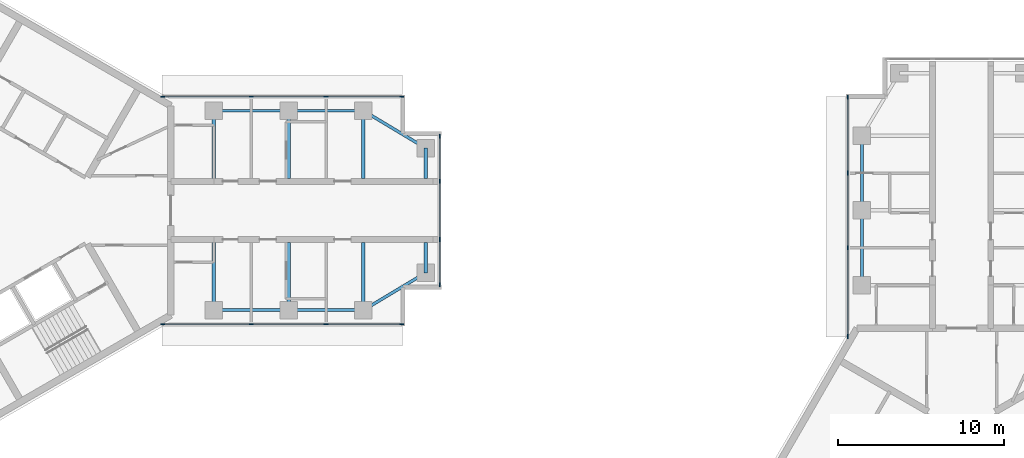
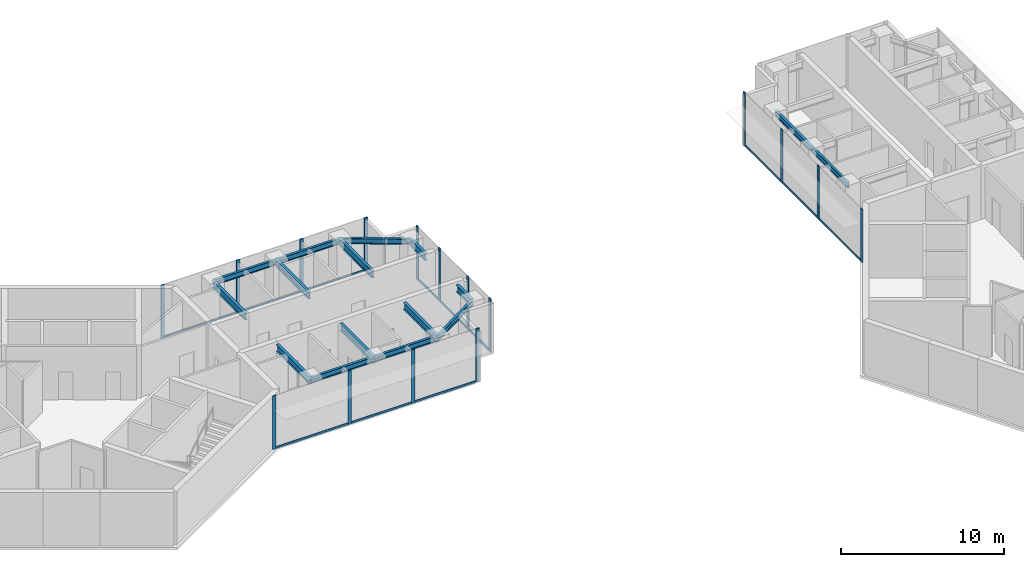
# One storey, part 2 of 11: 28 members, 16 beams, 4 elements without a shape of their own.
"""IFC4 building model written with IfcOpenShell, lengths in metres."""

from ifc_helpers import new_model, si_unit, direction, frame, origin, origin_2d, place, context, subcontext, project, spatial, rectangle, i_section, extrude, material, material_profile, profile_set, type_object, element, aggregate, save


model = new_model("IFC4")

# Units and contexts
model_context = context("Model", 3, precision=1e-05, world=origin(), true_north=direction((0.0, 1.0)))
body_context = subcontext(model_context, "Body", "Model", "MODEL_VIEW")
ifc_project = project(units=[si_unit("LENGTHUNIT", "METRE"), si_unit("AREAUNIT", "SQUARE_METRE"), si_unit("VOLUMEUNIT", "CUBIC_METRE"), si_unit("PLANEANGLEUNIT", "RADIAN"), si_unit("MASSUNIT", "GRAM", prefix="KILO")], contexts=[model_context])

# Site, building, storey
site_placement = place(None, origin())
site = spatial("IfcSite", under=ifc_project, at=site_placement, CompositionType="ELEMENT")
building_placement = place(site_placement, origin())
building = spatial("IfcBuilding", under=site, at=building_placement, Name="Upepo Twin Towers", CompositionType="ELEMENT")
storey_placement = place(building_placement, frame((0.0, 0.0, 263.5)))
storey = spatial("IfcBuildingStorey", under=building, at=storey_placement, Name="L64", CompositionType="ELEMENT", Elevation=263.5)

# Beams
ifc_material_1 = material(Name="Steel S355", Category="steel")
ifc_material_profile_1 = material_profile(ifc_material_1, i_section(OverallWidth=0.177978515625, OverallDepth=0.406494140625, WebThickness=0.0078125, FlangeThickness=0.0126953125, FilletRadius=0.01025390625, at=origin_2d()), Name="UB 406x178x60")
ifc_profile_set_1 = profile_set([ifc_material_profile_1], Name="Steel S355")
beam_type_1 = type_object("IfcBeamType", Name="Beam UB 406x178x60", PredefinedType="BEAM", material=ifc_profile_set_1)
for number, where, z_axis, x_axis, name in (
    (1, (13.5, 6.0, 3.5966796875), (1.0, 0.0, 0.0), (0.0, 1.0, 0.0), "T1 edge beam AL 13.5-18.0"),
    (2, (18.0, 6.0, 3.5966796875), (1.0, 0.0, 0.0), (0.0, 1.0, 0.0), "T1 edge beam AL 18.0-22.5"),
):
    element("IfcBeam", number, at=place(storey_placement, frame(where, z_axis=z_axis, x_axis=x_axis)), inside=storey, type_object=beam_type_1, Name=name, PredefinedType="BEAM", context=body_context, shape_type="SweptSolid", body=[
        extrude(i_section(OverallWidth=0.177978515625, OverallDepth=0.406494140625, WebThickness=0.0078125, FlangeThickness=0.0126953125, FilletRadius=0.01025390625, at=origin_2d()), origin(), (0.0, 0.0, 1.0), 4.5),
    ])
beam_1_placement = place(storey_placement, frame((22.5, 6.0, 3.5966796875), z_axis=(0.857492925713, -0.514495755428, 0.0), x_axis=(0.514495755428, 0.857492925713, 0.0)))
element("IfcBeam", 3, at=beam_1_placement, inside=storey, type_object=beam_type_1, Name="T1 nose edge beam AL", PredefinedType="BEAM", context=body_context, shape_type="SweptSolid", body=[
    extrude(i_section(OverallWidth=0.177978515625, OverallDepth=0.406494140625, WebThickness=0.0078125, FlangeThickness=0.0126953125, FilletRadius=0.01025390625, at=origin_2d()), origin(), (0.0, 0.0, 1.0), 4.373291015625),
])
for number, where, z_axis, x_axis, name in (
    (4, (13.5, -6.0, 3.5966796875), (1.0, 0.0, 0.0), (0.0, 1.0, 0.0), "T1 edge beam AR 13.5-18.0"),
    (5, (18.0, -6.0, 3.5966796875), (1.0, 0.0, 0.0), (0.0, 1.0, 0.0), "T1 edge beam AR 18.0-22.5"),
):
    element("IfcBeam", number, at=place(storey_placement, frame(where, z_axis=z_axis, x_axis=x_axis)), inside=storey, type_object=beam_type_1, Name=name, PredefinedType="BEAM", context=body_context, shape_type="SweptSolid", body=[
        extrude(i_section(OverallWidth=0.177978515625, OverallDepth=0.406494140625, WebThickness=0.0078125, FlangeThickness=0.0126953125, FilletRadius=0.01025390625, at=origin_2d()), origin(), (0.0, 0.0, 1.0), 4.5),
    ])
beam_2_placement = place(storey_placement, frame((22.5, -6.0, 3.5966796875), z_axis=(0.857492925713, 0.514495755428, 0.0), x_axis=(-0.514495755428, 0.857492925713, 0.0)))
element("IfcBeam", 6, at=beam_2_placement, inside=storey, type_object=beam_type_1, Name="T1 nose edge beam AR", PredefinedType="BEAM", context=body_context, shape_type="SweptSolid", body=[
    extrude(i_section(OverallWidth=0.177978515625, OverallDepth=0.406494140625, WebThickness=0.0078125, FlangeThickness=0.0126953125, FilletRadius=0.01025390625, at=origin_2d()), origin(), (0.0, 0.0, 1.0), 4.373291015625),
])
for number, where, z_axis, x_axis, name in (
    (7, (52.5, -4.5, 3.5966796875), (0.0, 1.0, 0.0), (-1.0, 0.0, 0.0), "T2 edge beam AL 13.5-18.0"),
    (8, (52.5, 0.0, 3.5966796875), (0.0, 1.0, 0.0), (-1.0, 0.0, 0.0), "T2 edge beam AL 18.0-22.5"),
):
    element("IfcBeam", number, at=place(storey_placement, frame(where, z_axis=z_axis, x_axis=x_axis)), inside=storey, type_object=beam_type_1, Name=name, PredefinedType="BEAM", context=body_context, shape_type="SweptSolid", body=[
        extrude(i_section(OverallWidth=0.177978515625, OverallDepth=0.406494140625, WebThickness=0.0078125, FlangeThickness=0.0126953125, FilletRadius=0.01025390625, at=origin_2d()), origin(), (0.0, 0.0, 1.0), 4.5),
    ])
ifc_material_2 = material(Name="Steel S355", Category="steel")
ifc_material_profile_2 = material_profile(ifc_material_2, i_section(OverallWidth=0.2099609375, OverallDepth=0.53662109375, WebThickness=0.0107421875, FlangeThickness=0.017333984375, FilletRadius=0.0126953125, at=origin_2d()), Name="UB 533x210x101")
ifc_profile_set_2 = profile_set([ifc_material_profile_2], Name="Steel S355")
beam_type_2 = type_object("IfcBeamType", Name="Beam UB 533x210x101", PredefinedType="BEAM", material=ifc_profile_set_2)
for number, where, z_axis, x_axis, name in (
    (9, (26.25, 3.75, 3.53173828125), (0.0, -1.0, 0.0), (1.0, 0.0, 0.0), "T1 nose beam AL"),
    (10, (26.25, -3.75, 3.53173828125), (0.0, 1.0, 0.0), (-1.0, 0.0, 0.0), "T1 nose beam AR"),
):
    element("IfcBeam", number, at=place(storey_placement, frame(where, z_axis=z_axis, x_axis=x_axis)), inside=storey, type_object=beam_type_2, Name=name, PredefinedType="BEAM", context=body_context, shape_type="SweptSolid", body=[
        extrude(i_section(OverallWidth=0.2099609375, OverallDepth=0.53662109375, WebThickness=0.0107421875, FlangeThickness=0.017333984375, FilletRadius=0.0126953125, at=origin_2d()), origin(), (0.0, 0.0, 1.0), 1.824951171875),
    ])
ifc_material_3 = material(Name="Steel S355", Category="steel")
ifc_material_profile_3 = material_profile(ifc_material_3, i_section(OverallWidth=0.209228515625, OverallDepth=0.533203125, WebThickness=0.010009765625, FlangeThickness=0.015625, FilletRadius=0.0126953125, at=origin_2d()), Name="UB 533x210x92")
ifc_profile_set_3 = profile_set([ifc_material_profile_3], Name="Steel S355")
beam_type_3 = type_object("IfcBeamType", Name="Beam UB 533x210x92", PredefinedType="BEAM", material=ifc_profile_set_3)
for number, where, z_axis, x_axis, name in (
    (11, (13.5, 6.0, 3.533447265625), (0.0, -1.0, 0.0), (1.0, 0.0, 0.0), "T1 girder AL at 13.5"),
    (12, (18.0, 6.0, 3.533447265625), (0.0, -1.0, 0.0), (1.0, 0.0, 0.0), "T1 girder AL at 18.0"),
    (13, (22.5, 6.0, 3.533447265625), (0.0, -1.0, 0.0), (1.0, 0.0, 0.0), "T1 girder AL at 22.5"),
    (14, (13.5, -6.0, 3.533447265625), (0.0, 1.0, 0.0), (-1.0, 0.0, 0.0), "T1 girder AR at 13.5"),
    (15, (18.0, -6.0, 3.533447265625), (0.0, 1.0, 0.0), (-1.0, 0.0, 0.0), "T1 girder AR at 18.0"),
    (16, (22.5, -6.0, 3.533447265625), (0.0, 1.0, 0.0), (-1.0, 0.0, 0.0), "T1 girder AR at 22.5"),
):
    element("IfcBeam", number, at=place(storey_placement, frame(where, z_axis=z_axis, x_axis=x_axis)), inside=storey, type_object=beam_type_3, Name=name, PredefinedType="BEAM", context=body_context, shape_type="SweptSolid", body=[
        extrude(i_section(OverallWidth=0.209228515625, OverallDepth=0.533203125, WebThickness=0.010009765625, FlangeThickness=0.015625, FilletRadius=0.0126953125, at=origin_2d()), origin(), (0.0, 0.0, 1.0), 4.074951171875),
    ])

# Curtain wall, members
ifc_material_4 = material(Name="Aluminium and fritted glass", Category="aluminium")
curtain_wall_type = type_object("IfcCurtainWallType", Name="Tower curtain wall TW4, fritted glass", PredefinedType="NOTDEFINED", material=ifc_material_4)
curtain_wall_1_placement = place(storey_placement, origin())
curtain_wall_1 = element("IfcCurtainWall", 17, at=curtain_wall_1_placement, inside=storey, type_object=curtain_wall_type, Name="T1 L64 wing A flank L curtain wall", PredefinedType="NOTDEFINED")
ifc_material_5 = material(Name="Aluminium mullion", Category="aluminium")
ifc_material_profile_4 = material_profile(ifc_material_5, rectangle(XDim=0.06494140625, YDim=0.25, at=origin_2d()), Name="MULLION 65x250")
ifc_profile_set_4 = profile_set([ifc_material_profile_4], Name="Aluminium mullion")
member_type_1 = type_object("IfcMemberType", Name="Mullion 65x250 TW4", PredefinedType="MULLION", material=ifc_profile_set_4)
member_1_placement = place(storey_placement, frame((10.419677734375, 6.85009765625, 0.0), z_axis=(0.0, 0.0, 1.0), x_axis=(0.0, 1.0, 0.0)))
member_1 = element("IfcMember", 18, at=member_1_placement, type_object=member_type_1, Name="T1 L64 wing A flank L curtain wall mullion 1", PredefinedType="MULLION", context=body_context, shape_type="SweptSolid", body=[
    extrude(rectangle(XDim=0.06494140625, YDim=0.25, at=origin_2d()), origin(), (0.0, 0.0, 1.0), 4.0),
])
member_2_placement = place(storey_placement, frame((15.75, 6.85009765625, 0.0), z_axis=(0.0, 0.0, 1.0), x_axis=(0.0, 1.0, 0.0)))
member_2 = element("IfcMember", 19, at=member_2_placement, type_object=member_type_1, Name="T1 L64 wing A flank L curtain wall mullion 2", PredefinedType="MULLION", context=body_context, shape_type="SweptSolid", body=[
    extrude(rectangle(XDim=0.06494140625, YDim=0.25, at=origin_2d()), origin(), (0.0, 0.0, 1.0), 4.0),
])
member_3_placement = place(storey_placement, frame((20.25, 6.85009765625, 0.0), z_axis=(0.0, 0.0, 1.0), x_axis=(0.0, 1.0, 0.0)))
member_3 = element("IfcMember", 20, at=member_3_placement, type_object=member_type_1, Name="T1 L64 wing A flank L curtain wall mullion 3", PredefinedType="MULLION", context=body_context, shape_type="SweptSolid", body=[
    extrude(rectangle(XDim=0.06494140625, YDim=0.25, at=origin_2d()), origin(), (0.0, 0.0, 1.0), 4.0),
])
member_4_placement = place(storey_placement, frame((24.8173828125, 6.85009765625, 0.0), z_axis=(0.0, 0.0, 1.0), x_axis=(0.0, 1.0, 0.0)))
member_4 = element("IfcMember", 21, at=member_4_placement, type_object=member_type_1, Name="T1 L64 wing A flank L curtain wall mullion 4", PredefinedType="MULLION", context=body_context, shape_type="SweptSolid", body=[
    extrude(rectangle(XDim=0.06494140625, YDim=0.25, at=origin_2d()), origin(), (0.0, 0.0, 1.0), 4.0),
])

curtain_wall_2_placement = place(storey_placement, origin())
curtain_wall_2 = element("IfcCurtainWall", 22, at=curtain_wall_2_placement, inside=storey, type_object=curtain_wall_type, Name="T1 L64 wing A flank R curtain wall", PredefinedType="NOTDEFINED")
member_5_placement = place(storey_placement, frame((24.8173828125, -6.85009765625, 0.0), z_axis=(0.0, 0.0, 1.0), x_axis=(0.0, -1.0, 0.0)))
member_5 = element("IfcMember", 23, at=member_5_placement, type_object=member_type_1, Name="T1 L64 wing A flank R curtain wall mullion 1", PredefinedType="MULLION", context=body_context, shape_type="SweptSolid", body=[
    extrude(rectangle(XDim=0.06494140625, YDim=0.25, at=origin_2d()), origin(), (0.0, 0.0, 1.0), 4.0),
])
member_6_placement = place(storey_placement, frame((20.25, -6.85009765625, 0.0), z_axis=(0.0, 0.0, 1.0), x_axis=(0.0, -1.0, 0.0)))
member_6 = element("IfcMember", 24, at=member_6_placement, type_object=member_type_1, Name="T1 L64 wing A flank R curtain wall mullion 2", PredefinedType="MULLION", context=body_context, shape_type="SweptSolid", body=[
    extrude(rectangle(XDim=0.06494140625, YDim=0.25, at=origin_2d()), origin(), (0.0, 0.0, 1.0), 4.0),
])
member_7_placement = place(storey_placement, frame((15.75, -6.85009765625, 0.0), z_axis=(0.0, 0.0, 1.0), x_axis=(0.0, -1.0, 0.0)))
member_7 = element("IfcMember", 25, at=member_7_placement, type_object=member_type_1, Name="T1 L64 wing A flank R curtain wall mullion 3", PredefinedType="MULLION", context=body_context, shape_type="SweptSolid", body=[
    extrude(rectangle(XDim=0.06494140625, YDim=0.25, at=origin_2d()), origin(), (0.0, 0.0, 1.0), 4.0),
])
member_8_placement = place(storey_placement, frame((10.419677734375, -6.85009765625, 0.0), z_axis=(0.0, 0.0, 1.0), x_axis=(0.0, -1.0, 0.0)))
member_8 = element("IfcMember", 26, at=member_8_placement, type_object=member_type_1, Name="T1 L64 wing A flank R curtain wall mullion 4", PredefinedType="MULLION", context=body_context, shape_type="SweptSolid", body=[
    extrude(rectangle(XDim=0.06494140625, YDim=0.25, at=origin_2d()), origin(), (0.0, 0.0, 1.0), 4.0),
])

curtain_wall_3_placement = place(storey_placement, origin())
curtain_wall_3 = element("IfcCurtainWall", 27, at=curtain_wall_3_placement, inside=storey, type_object=curtain_wall_type, Name="T1 L64 wing A nose curtain wall", PredefinedType="NOTDEFINED")
member_9_placement = place(storey_placement, frame((27.10009765625, -4.467529296875, 0.0), z_axis=(0.0, 0.0, 1.0), x_axis=(-1.0, 0.0, 0.0)))
member_9 = element("IfcMember", 28, at=member_9_placement, type_object=member_type_1, Name="T1 L64 wing A nose curtain wall mullion 1", PredefinedType="MULLION", context=body_context, shape_type="SweptSolid", body=[
    extrude(rectangle(XDim=0.06494140625, YDim=0.25, at=origin_2d()), origin(), (0.0, 0.0, 1.0), 4.0),
])
member_10_placement = place(storey_placement, frame((27.10009765625, -1.75, 0.0), z_axis=(0.0, 0.0, 1.0), x_axis=(-1.0, 0.0, 0.0)))
member_10 = element("IfcMember", 29, at=member_10_placement, type_object=member_type_1, Name="T1 L64 wing A nose curtain wall mullion 2", PredefinedType="MULLION", context=body_context, shape_type="SweptSolid", body=[
    extrude(rectangle(XDim=0.06494140625, YDim=0.25, at=origin_2d()), origin(), (0.0, 0.0, 1.0), 4.0),
])
member_11_placement = place(storey_placement, frame((27.10009765625, 1.75, 0.0), z_axis=(0.0, 0.0, 1.0), x_axis=(-1.0, 0.0, 0.0)))
member_11 = element("IfcMember", 30, at=member_11_placement, type_object=member_type_1, Name="T1 L64 wing A nose curtain wall mullion 3", PredefinedType="MULLION", context=body_context, shape_type="SweptSolid", body=[
    extrude(rectangle(XDim=0.06494140625, YDim=0.25, at=origin_2d()), origin(), (0.0, 0.0, 1.0), 4.0),
])
member_12_placement = place(storey_placement, frame((27.10009765625, 4.467529296875, 0.0), z_axis=(0.0, 0.0, 1.0), x_axis=(-1.0, 0.0, 0.0)))
member_12 = element("IfcMember", 31, at=member_12_placement, type_object=member_type_1, Name="T1 L64 wing A nose curtain wall mullion 4", PredefinedType="MULLION", context=body_context, shape_type="SweptSolid", body=[
    extrude(rectangle(XDim=0.06494140625, YDim=0.25, at=origin_2d()), origin(), (0.0, 0.0, 1.0), 4.0),
])

curtain_wall_4_placement = place(storey_placement, origin())
curtain_wall_4 = element("IfcCurtainWall", 32, at=curtain_wall_4_placement, inside=storey, type_object=curtain_wall_type, Name="T2 L64 wing A flank L curtain wall", PredefinedType="NOTDEFINED")
member_13_placement = place(storey_placement, frame((51.64990234375, -7.580322265625, 0.0), z_axis=(0.0, 0.0, 1.0), x_axis=(-1.0, 0.0, 0.0)))
member_13 = element("IfcMember", 33, at=member_13_placement, type_object=member_type_1, Name="T2 L64 wing A flank L curtain wall mullion 1", PredefinedType="MULLION", context=body_context, shape_type="SweptSolid", body=[
    extrude(rectangle(XDim=0.06494140625, YDim=0.25, at=origin_2d()), origin(), (0.0, 0.0, 1.0), 4.0),
])
member_14_placement = place(storey_placement, frame((51.64990234375, -2.25, 0.0), z_axis=(0.0, 0.0, 1.0), x_axis=(-1.0, 0.0, 0.0)))
member_14 = element("IfcMember", 34, at=member_14_placement, type_object=member_type_1, Name="T2 L64 wing A flank L curtain wall mullion 2", PredefinedType="MULLION", context=body_context, shape_type="SweptSolid", body=[
    extrude(rectangle(XDim=0.06494140625, YDim=0.25, at=origin_2d()), origin(), (0.0, 0.0, 1.0), 4.0),
])
member_15_placement = place(storey_placement, frame((51.64990234375, 2.25, 0.0), z_axis=(0.0, 0.0, 1.0), x_axis=(-1.0, 0.0, 0.0)))
member_15 = element("IfcMember", 35, at=member_15_placement, type_object=member_type_1, Name="T2 L64 wing A flank L curtain wall mullion 3", PredefinedType="MULLION", context=body_context, shape_type="SweptSolid", body=[
    extrude(rectangle(XDim=0.06494140625, YDim=0.25, at=origin_2d()), origin(), (0.0, 0.0, 1.0), 4.0),
])
member_16_placement = place(storey_placement, frame((51.64990234375, 6.8173828125, 0.0), z_axis=(0.0, 0.0, 1.0), x_axis=(-1.0, 0.0, 0.0)))
member_16 = element("IfcMember", 36, at=member_16_placement, type_object=member_type_1, Name="T2 L64 wing A flank L curtain wall mullion 4", PredefinedType="MULLION", context=body_context, shape_type="SweptSolid", body=[
    extrude(rectangle(XDim=0.06494140625, YDim=0.25, at=origin_2d()), origin(), (0.0, 0.0, 1.0), 4.0),
])

# Member
ifc_material_6 = material(Name="Aluminium transom", Category="aluminium")
ifc_material_profile_5 = material_profile(ifc_material_6, rectangle(XDim=0.06494140625, YDim=0.14990234375, at=origin_2d()), Name="TRANSOM 65x150")
ifc_profile_set_5 = profile_set([ifc_material_profile_5], Name="Aluminium transom")
member_type_2 = type_object("IfcMemberType", Name="Transom 65x150 TW4", PredefinedType="USERDEFINED", material=ifc_profile_set_5)
member_17_placement = place(storey_placement, frame((10.4521484375, 6.85009765625, 0.074951171875), z_axis=(1.0, 0.0, 0.0), x_axis=(0.0, 1.0, 0.0)))
member_17 = element("IfcMember", 37, at=member_17_placement, type_object=member_type_2, Name="T1 L64 wing A flank L curtain wall transom 1", ObjectType="TRANSOM", PredefinedType="USERDEFINED", context=body_context, shape_type="SweptSolid", body=[
    extrude(rectangle(XDim=0.06494140625, YDim=0.14990234375, at=origin_2d()), origin(), (0.0, 0.0, 1.0), 5.265380859375),
])

member_18_placement = place(storey_placement, frame((15.782470703125, 6.85009765625, 0.074951171875), z_axis=(1.0, 0.0, 0.0), x_axis=(0.0, 1.0, 0.0)))
member_18 = element("IfcMember", 38, at=member_18_placement, type_object=member_type_2, Name="T1 L64 wing A flank L curtain wall transom 2", ObjectType="TRANSOM", PredefinedType="USERDEFINED", context=body_context, shape_type="SweptSolid", body=[
    extrude(rectangle(XDim=0.06494140625, YDim=0.14990234375, at=origin_2d()), origin(), (0.0, 0.0, 1.0), 4.43505859375),
])

member_19_placement = place(storey_placement, frame((20.282470703125, 6.85009765625, 0.074951171875), z_axis=(1.0, 0.0, 0.0), x_axis=(0.0, 1.0, 0.0)))
member_19 = element("IfcMember", 39, at=member_19_placement, type_object=member_type_2, Name="T1 L64 wing A flank L curtain wall transom 3", ObjectType="TRANSOM", PredefinedType="USERDEFINED", context=body_context, shape_type="SweptSolid", body=[
    extrude(rectangle(XDim=0.06494140625, YDim=0.14990234375, at=origin_2d()), origin(), (0.0, 0.0, 1.0), 4.50244140625),
])

aggregate(curtain_wall_1, [member_1, member_2, member_3, member_4, member_17, member_18, member_19])

member_20_placement = place(storey_placement, frame((24.784912109375, -6.85009765625, 0.074951171875), z_axis=(-1.0, 0.0, 0.0), x_axis=(0.0, -1.0, 0.0)))
member_20 = element("IfcMember", 40, at=member_20_placement, type_object=member_type_2, Name="T1 L64 wing A flank R curtain wall transom 1", ObjectType="TRANSOM", PredefinedType="USERDEFINED", context=body_context, shape_type="SweptSolid", body=[
    extrude(rectangle(XDim=0.06494140625, YDim=0.14990234375, at=origin_2d()), origin(), (0.0, 0.0, 1.0), 4.50244140625),
])

member_21_placement = place(storey_placement, frame((20.217529296875, -6.85009765625, 0.074951171875), z_axis=(-1.0, 0.0, 0.0), x_axis=(0.0, -1.0, 0.0)))
member_21 = element("IfcMember", 41, at=member_21_placement, type_object=member_type_2, Name="T1 L64 wing A flank R curtain wall transom 2", ObjectType="TRANSOM", PredefinedType="USERDEFINED", context=body_context, shape_type="SweptSolid", body=[
    extrude(rectangle(XDim=0.06494140625, YDim=0.14990234375, at=origin_2d()), origin(), (0.0, 0.0, 1.0), 4.43505859375),
])

member_22_placement = place(storey_placement, frame((15.717529296875, -6.85009765625, 0.074951171875), z_axis=(-1.0, 0.0, 0.0), x_axis=(0.0, -1.0, 0.0)))
member_22 = element("IfcMember", 42, at=member_22_placement, type_object=member_type_2, Name="T1 L64 wing A flank R curtain wall transom 3", ObjectType="TRANSOM", PredefinedType="USERDEFINED", context=body_context, shape_type="SweptSolid", body=[
    extrude(rectangle(XDim=0.06494140625, YDim=0.14990234375, at=origin_2d()), origin(), (0.0, 0.0, 1.0), 5.265380859375),
])

aggregate(curtain_wall_2, [member_5, member_6, member_7, member_8, member_20, member_21, member_22])

member_23_placement = place(storey_placement, frame((27.10009765625, -4.43505859375, 0.074951171875), z_axis=(0.0, 1.0, 0.0), x_axis=(-1.0, 0.0, 0.0)))
member_23 = element("IfcMember", 43, at=member_23_placement, type_object=member_type_2, Name="T1 L64 wing A nose curtain wall transom 1", ObjectType="TRANSOM", PredefinedType="USERDEFINED", context=body_context, shape_type="SweptSolid", body=[
    extrude(rectangle(XDim=0.06494140625, YDim=0.14990234375, at=origin_2d()), origin(), (0.0, 0.0, 1.0), 2.652587890625),
])

member_24_placement = place(storey_placement, frame((27.10009765625, -1.717529296875, 0.074951171875), z_axis=(0.0, 1.0, 0.0), x_axis=(-1.0, 0.0, 0.0)))
member_24 = element("IfcMember", 44, at=member_24_placement, type_object=member_type_2, Name="T1 L64 wing A nose curtain wall transom 2", ObjectType="TRANSOM", PredefinedType="USERDEFINED", context=body_context, shape_type="SweptSolid", body=[
    extrude(rectangle(XDim=0.06494140625, YDim=0.14990234375, at=origin_2d()), origin(), (0.0, 0.0, 1.0), 3.43505859375),
])

member_25_placement = place(storey_placement, frame((27.10009765625, 1.782470703125, 0.074951171875), z_axis=(0.0, 1.0, 0.0), x_axis=(-1.0, 0.0, 0.0)))
member_25 = element("IfcMember", 45, at=member_25_placement, type_object=member_type_2, Name="T1 L64 wing A nose curtain wall transom 3", ObjectType="TRANSOM", PredefinedType="USERDEFINED", context=body_context, shape_type="SweptSolid", body=[
    extrude(rectangle(XDim=0.06494140625, YDim=0.14990234375, at=origin_2d()), origin(), (0.0, 0.0, 1.0), 2.652587890625),
])

aggregate(curtain_wall_3, [member_9, member_10, member_11, member_12, member_23, member_24, member_25])

member_26_placement = place(storey_placement, frame((51.64990234375, -7.5478515625, 0.074951171875), z_axis=(0.0, 1.0, 0.0), x_axis=(-1.0, 0.0, 0.0)))
member_26 = element("IfcMember", 46, at=member_26_placement, type_object=member_type_2, Name="T2 L64 wing A flank L curtain wall transom 1", ObjectType="TRANSOM", PredefinedType="USERDEFINED", context=body_context, shape_type="SweptSolid", body=[
    extrude(rectangle(XDim=0.06494140625, YDim=0.14990234375, at=origin_2d()), origin(), (0.0, 0.0, 1.0), 5.265380859375),
])

member_27_placement = place(storey_placement, frame((51.64990234375, -2.217529296875, 0.074951171875), z_axis=(0.0, 1.0, 0.0), x_axis=(-1.0, 0.0, 0.0)))
member_27 = element("IfcMember", 47, at=member_27_placement, type_object=member_type_2, Name="T2 L64 wing A flank L curtain wall transom 2", ObjectType="TRANSOM", PredefinedType="USERDEFINED", context=body_context, shape_type="SweptSolid", body=[
    extrude(rectangle(XDim=0.06494140625, YDim=0.14990234375, at=origin_2d()), origin(), (0.0, 0.0, 1.0), 4.43505859375),
])

member_28_placement = place(storey_placement, frame((51.64990234375, 2.282470703125, 0.074951171875), z_axis=(0.0, 1.0, 0.0), x_axis=(-1.0, 0.0, 0.0)))
member_28 = element("IfcMember", 48, at=member_28_placement, type_object=member_type_2, Name="T2 L64 wing A flank L curtain wall transom 3", ObjectType="TRANSOM", PredefinedType="USERDEFINED", context=body_context, shape_type="SweptSolid", body=[
    extrude(rectangle(XDim=0.06494140625, YDim=0.14990234375, at=origin_2d()), origin(), (0.0, 0.0, 1.0), 4.50244140625),
])

aggregate(curtain_wall_4, [member_13, member_14, member_15, member_16, member_26, member_27, member_28])

save(model, "model.ifc")
